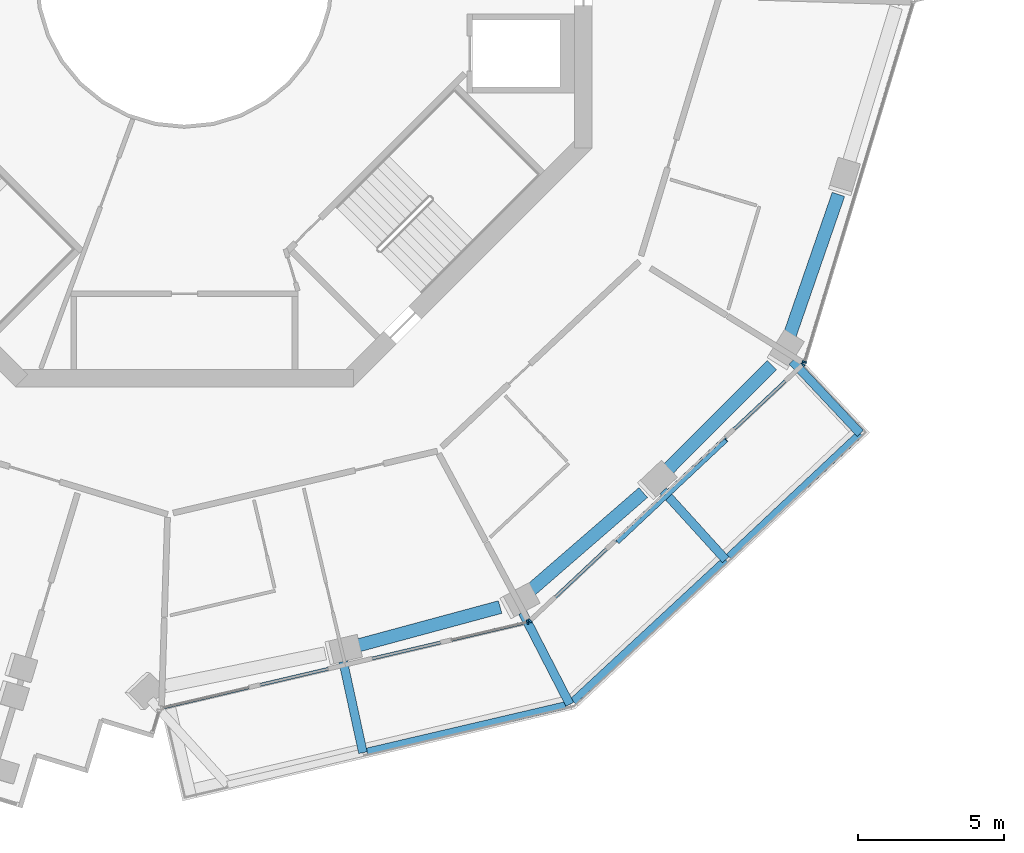
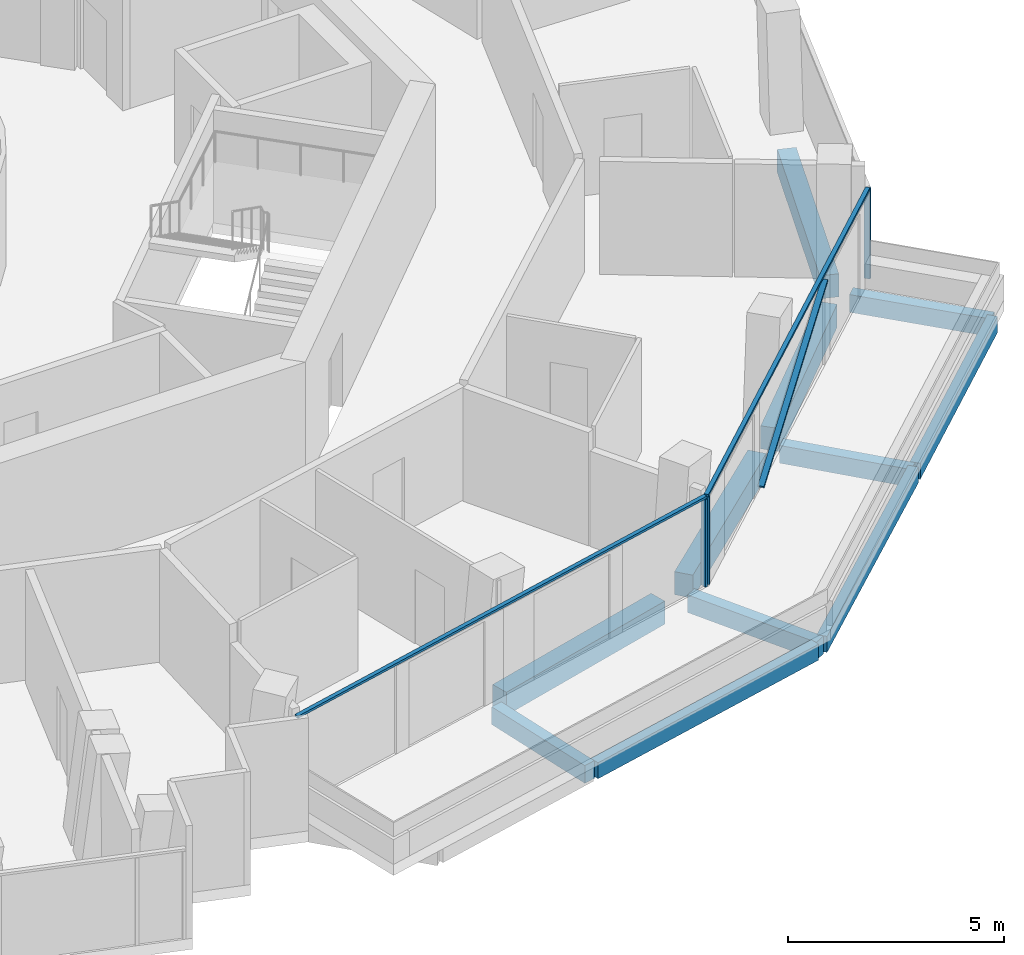
# One storey, part 5 of 24: 11 beams, 7 members, 3 elements without a shape of their own.
"""IFC4 building model written with IfcOpenShell, lengths in metres."""

from ifc_helpers import new_model, si_unit, direction, frame, origin, origin_2d, place, context, subcontext, project, spatial, rectangle, extrude, material, layer, layer_set, material_profile, profile_set, type_object, element, aggregate, save


model = new_model("IFC4")

# Units and contexts
model_context = context("Model", 3, precision=1e-05, world=origin(), true_north=direction((0.0, 1.0)))
body_context = subcontext(model_context, "Body", "Model", "MODEL_VIEW")
ifc_project = project(units=[si_unit("LENGTHUNIT", "METRE"), si_unit("AREAUNIT", "SQUARE_METRE"), si_unit("VOLUMEUNIT", "CUBIC_METRE"), si_unit("PLANEANGLEUNIT", "RADIAN"), si_unit("MASSUNIT", "GRAM", prefix="KILO")], contexts=[model_context])

# Site, building, storey
site_placement = place(None, origin())
site = spatial("IfcSite", under=ifc_project, at=site_placement, CompositionType="ELEMENT")
building_placement = place(site_placement, origin())
building = spatial("IfcBuilding", under=site, at=building_placement, Name="Verdalira Terraces Hotel", CompositionType="ELEMENT")
storey_placement = place(building_placement, frame((0.0, 0.0, 209.0)))
storey = spatial("IfcBuildingStorey", under=building, at=storey_placement, Name="L51", CompositionType="ELEMENT", Elevation=209.0)

# Beams
ifc_material_1 = material(Name="Concrete C40", Category="concrete")
ifc_material_profile_1 = material_profile(ifc_material_1, rectangle(XDim=0.300049, YDim=0.5, at=origin_2d()), Name="RC 300X500")
ifc_profile_set_1 = profile_set([ifc_material_profile_1], Name="Concrete C40")
beam_type_1 = type_object("IfcBeamType", Name="Balcony cantilever beam RC 300X500 C40", PredefinedType="BEAM", material=ifc_profile_set_1)
beam_1_placement = place(storey_placement, frame((5.452881, -23.431885, -0.560059), z_axis=(0.212033815, -0.97726233, 0.0), x_axis=(0.97726233, 0.212033815, 0.0)))
element("IfcBeam", 1, at=beam_1_placement, inside=storey, type_object=beam_type_1, Name="Balcony cantilever beam R25-2", PredefinedType="BEAM", context=body_context, shape_type="SweptSolid", body=[
    extrude(rectangle(XDim=0.300049, YDim=0.5, at=origin_2d()), origin(), (0.0, 0.0, 1.0), 3.200928),
])
beam_2_placement = place(storey_placement, frame((11.612793, -21.748291, -0.560059), z_axis=(0.457733911, -0.889089235, 0.0), x_axis=(0.889089235, 0.457733911, 0.0)))
element("IfcBeam", 2, at=beam_2_placement, inside=storey, type_object=beam_type_1, Name="Balcony cantilever beam R25-3", PredefinedType="BEAM", context=body_context, shape_type="SweptSolid", body=[
    extrude(rectangle(XDim=0.300049, YDim=0.5, at=origin_2d()), origin(), (0.0, 0.0, 1.0), 3.544678),
])
beam_3_placement = place(storey_placement, frame((16.438232, -17.566162, -0.560059), z_axis=(0.672270277, -0.740305798, 0.0), x_axis=(0.740305798, 0.672270277, 0.0)))
element("IfcBeam", 3, at=beam_3_placement, inside=storey, type_object=beam_type_1, Name="Balcony cantilever beam R25-4", PredefinedType="BEAM", context=body_context, shape_type="SweptSolid", body=[
    extrude(rectangle(XDim=0.300049, YDim=0.5, at=origin_2d()), origin(), (0.0, 0.0, 1.0), 3.200928),
])
beam_4_placement = place(storey_placement, frame((20.876953, -13.112305, -0.560059), z_axis=(0.684591289, -0.728927134, 0.0), x_axis=(0.728927134, 0.684591289, 0.0)))
element("IfcBeam", 4, at=beam_4_placement, inside=storey, type_object=beam_type_1, Name="Balcony cantilever beam R25-5", PredefinedType="BEAM", context=body_context, shape_type="SweptSolid", body=[
    extrude(rectangle(XDim=0.300049, YDim=0.5, at=origin_2d()), origin(), (0.0, 0.0, 1.0), 3.408691),
])
ifc_material_2 = material(Name="Concrete C40", Category="concrete")
ifc_material_profile_2 = material_profile(ifc_material_2, rectangle(XDim=0.25, YDim=0.449951, at=origin_2d()), Name="RC 250X450")
ifc_profile_set_2 = profile_set([ifc_material_profile_2], Name="Concrete C40")
beam_type_2 = type_object("IfcBeamType", Name="Balcony edge beam RC 250X450 C40", PredefinedType="BEAM", material=ifc_profile_set_2)
beam_5_placement = place(storey_placement, frame((6.277588, -26.525879, -0.534912), z_axis=(0.973762323, 0.227567438, 0.0), x_axis=(-0.227567438, 0.973762323, 0.0)))
element("IfcBeam", 5, at=beam_5_placement, inside=storey, type_object=beam_type_2, Name="Balcony edge beam R25-2", PredefinedType="BEAM", context=body_context, shape_type="SweptSolid", body=[
    extrude(rectangle(XDim=0.25, YDim=0.449951, at=origin_2d()), origin(), (0.0, 0.0, 1.0), 6.990479),
])
beam_6_placement = place(storey_placement, frame((13.349609, -24.793945, -0.534912), z_axis=(0.733351772, 0.679849379, 0.0), x_axis=(-0.679849379, 0.733351772, 0.0)))
element("IfcBeam", 6, at=beam_6_placement, inside=storey, type_object=beam_type_2, Name="Balcony edge beam R25-3", PredefinedType="BEAM", context=body_context, shape_type="SweptSolid", body=[
    extrude(rectangle(XDim=0.25, YDim=0.449951, at=origin_2d()), origin(), (0.0, 0.0, 1.0), 7.145996),
])
beam_7_placement = place(storey_placement, frame((18.699463, -19.833008, -0.534912), z_axis=(0.728969768, 0.684545892, 0.0), x_axis=(-0.684545892, 0.728969768, 0.0)))
element("IfcBeam", 7, at=beam_7_placement, inside=storey, type_object=beam_type_2, Name="Balcony edge beam R25-4", PredefinedType="BEAM", context=body_context, shape_type="SweptSolid", body=[
    extrude(rectangle(XDim=0.25, YDim=0.449951, at=origin_2d()), origin(), (0.0, 0.0, 1.0), 6.188232),
])

# Curtain wall, member
ifc_material_3 = material(Name="Clear glass", Category="glass")
ifc_layer = layer(ifc_material_3, 0.14990234375)
ifc_layer_set = layer_set([ifc_layer], Name="CW1 curtain wall")
curtain_wall_type = type_object("IfcCurtainWallType", Name="CW1 curtain wall", PredefinedType="NOTDEFINED", material=ifc_layer_set)
curtain_wall_1_placement = place(storey_placement, origin())
curtain_wall_1 = element("IfcCurtainWall", 8, at=curtain_wall_1_placement, inside=storey, type_object=curtain_wall_type, Name="CW1 curtain wall L51 edge 25", PredefinedType="NOTDEFINED")
ifc_material_4 = material(Name="Terracotta frame", Category="masonry")
ifc_material_profile_3 = material_profile(ifc_material_4, rectangle(XDim=0.060059, YDim=0.149902, at=origin_2d()), Name="MU 60x150")
ifc_profile_set_3 = profile_set([ifc_material_profile_3], Name="Terracotta frame")
member_type_1 = type_object("IfcMemberType", Name="CW1 mullion 60x150", PredefinedType="MULLION", material=ifc_profile_set_3)
member_1_placement = place(storey_placement, frame((11.782227, -22.076172, 0.0), z_axis=(0.0, 0.0, 1.0), x_axis=(0.973578903, 0.22835087, 0.0)))
member_1 = element("IfcMember", 9, at=member_1_placement, type_object=member_type_1, Name="CW1 mullion", PredefinedType="MULLION", context=body_context, shape_type="SweptSolid", body=[
    extrude(rectangle(XDim=0.060059, YDim=0.149902, at=origin_2d()), origin(), (0.0, 0.0, 1.0), 2.475098),
])

# Curtain wall, members
curtain_wall_2_placement = place(storey_placement, origin())
curtain_wall_2 = element("IfcCurtainWall", 10, at=curtain_wall_2_placement, inside=storey, type_object=curtain_wall_type, Name="CW1 curtain wall L51 edge 26", PredefinedType="NOTDEFINED")
member_2_placement = place(storey_placement, frame((11.867432, -22.030273, 0.0), z_axis=(0.0, 0.0, 1.0), x_axis=(0.728968627, 0.684547106, 0.0)))
member_2 = element("IfcMember", 11, at=member_2_placement, type_object=member_type_1, Name="CW1 mullion", PredefinedType="MULLION", context=body_context, shape_type="SweptSolid", body=[
    extrude(rectangle(XDim=0.060059, YDim=0.149902, at=origin_2d()), origin(), (0.0, 0.0, 1.0), 2.475098),
])
member_3_placement = place(storey_placement, frame((21.241699, -13.227295, 0.0), z_axis=(0.0, 0.0, 1.0), x_axis=(0.728968627, 0.684547106, 0.0)))
member_3 = element("IfcMember", 12, at=member_3_placement, type_object=member_type_1, Name="CW1 mullion", PredefinedType="MULLION", context=body_context, shape_type="SweptSolid", body=[
    extrude(rectangle(XDim=0.060059, YDim=0.149902, at=origin_2d()), origin(), (0.0, 0.0, 1.0), 2.475098),
])

# Curtain wall, member
curtain_wall_3_placement = place(storey_placement, origin())
curtain_wall_3 = element("IfcCurtainWall", 13, at=curtain_wall_3_placement, inside=storey, type_object=curtain_wall_type, Name="CW1 curtain wall L51 edge 27", PredefinedType="NOTDEFINED")
member_4_placement = place(storey_placement, frame((21.292725, -13.14502, 0.0), z_axis=(0.0, 0.0, 1.0), x_axis=(0.289031797, 0.957319498, 0.0)))
member_4 = element("IfcMember", 14, at=member_4_placement, type_object=member_type_1, Name="CW1 mullion", PredefinedType="MULLION", context=body_context, shape_type="SweptSolid", body=[
    extrude(rectangle(XDim=0.060059, YDim=0.149902, at=origin_2d()), origin(), (0.0, 0.0, 1.0), 2.475098),
])
aggregate(curtain_wall_3, [member_4])

# Member
ifc_material_5 = material(Name="Terracotta frame", Category="masonry")
ifc_material_profile_4 = material_profile(ifc_material_5, rectangle(XDim=0.110107, YDim=0.064941, at=origin_2d()), Name="TR 65x110")
ifc_profile_set_4 = profile_set([ifc_material_profile_4], Name="Terracotta frame")
member_type_2 = type_object("IfcMemberType", Name="CW1 transom 65x110", PredefinedType="USERDEFINED", material=ifc_profile_set_4)
member_5_placement = place(storey_placement, frame((-0.805908, -25.028564, 2.507568), z_axis=(0.973581705, 0.228338922, 0.0), x_axis=(-0.228338922, 0.973581705, 0.0)))
member_5 = element("IfcMember", 15, at=member_5_placement, type_object=member_type_2, Name="CW1 transom", ObjectType="TRANSOM", PredefinedType="USERDEFINED", context=body_context, shape_type="SweptSolid", body=[
    extrude(rectangle(XDim=0.110107, YDim=0.064941, at=origin_2d()), origin(), (0.0, 0.0, 1.0), 12.959717),
])

aggregate(curtain_wall_1, [member_1, member_5])

member_6_placement = place(storey_placement, frame((11.845703, -22.051025, 2.507568), z_axis=(0.728961793, 0.684554384, 0.0), x_axis=(-0.684554384, 0.728961793, 0.0)))
member_6 = element("IfcMember", 16, at=member_6_placement, type_object=member_type_2, Name="CW1 transom", ObjectType="TRANSOM", PredefinedType="USERDEFINED", context=body_context, shape_type="SweptSolid", body=[
    extrude(rectangle(XDim=0.110107, YDim=0.064941, at=origin_2d()), origin(), (0.0, 0.0, 1.0), 12.919678),
])

ifc_material_6 = material(Name="Terracotta frame", Category="masonry")
ifc_material_profile_5 = material_profile(ifc_material_6, rectangle(XDim=0.149902, YDim=0.060059, at=origin_2d()), Name="GB 60x150")
ifc_profile_set_5 = profile_set([ifc_material_profile_5], Name="Terracotta frame")
member_type_3 = type_object("IfcMemberType", Name="Diagonal glazing bar 60x150", PredefinedType="USERDEFINED", material=ifc_profile_set_5)
member_7_placement = place(storey_placement, frame((14.885254, -19.318604, 0.028076), z_axis=(0.658774846, 0.618630417, 0.428149634), x_axis=(-0.684546905, 0.728968816, 0.0)))
member_7 = element("IfcMember", 17, at=member_7_placement, type_object=member_type_3, Name="Diagonal glazing bar", ObjectType="GLAZING BAR", PredefinedType="USERDEFINED", context=body_context, shape_type="SweptSolid", body=[
    extrude(rectangle(XDim=0.149902, YDim=0.060059, at=origin_2d()), origin(), (0.0, 0.0, 1.0), 5.649658),
])

aggregate(curtain_wall_2, [member_2, member_3, member_6, member_7])

# Beams
ifc_material_7 = material(Name="Concrete C50", Category="concrete")
ifc_material_profile_6 = material_profile(ifc_material_7, rectangle(XDim=0.449951, YDim=0.649902, at=origin_2d()), Name="RC 450X650")
ifc_profile_set_6 = profile_set([ifc_material_profile_6], Name="Concrete C50")
beam_type_3 = type_object("IfcBeamType", Name="Spandrel beam RC 450X650 C50", PredefinedType="SPANDREL", material=ifc_profile_set_6)
beam_8_placement = place(storey_placement, frame((5.83374, -22.913574, -0.63501), z_axis=(0.965362753, 0.260911395, 0.0), x_axis=(-0.260911395, 0.965362753, 0.0)))
element("IfcBeam", 18, at=beam_8_placement, inside=storey, type_object=beam_type_3, Name="Spandrel beam B12", PredefinedType="SPANDREL", context=body_context, shape_type="SweptSolid", body=[
    extrude(rectangle(XDim=0.449951, YDim=0.649902, at=origin_2d()), origin(), (0.0, 0.0, 1.0), 5.189453),
])
beam_9_placement = place(storey_placement, frame((11.834961, -21.029785, -0.63501), z_axis=(0.755540122, 0.655102376, 0.0), x_axis=(-0.655102376, 0.755540122, 0.0)))
element("IfcBeam", 19, at=beam_9_placement, inside=storey, type_object=beam_type_3, Name="Spandrel beam B13", PredefinedType="SPANDREL", context=body_context, shape_type="SweptSolid", body=[
    extrude(rectangle(XDim=0.449951, YDim=0.649902, at=origin_2d()), origin(), (0.0, 0.0, 1.0), 5.192139),
])
beam_10_placement = place(storey_placement, frame((16.508789, -16.926758, -0.63501), z_axis=(0.705599698, 0.708610659, 0.0), x_axis=(-0.708610659, 0.705599698, 0.0)))
element("IfcBeam", 20, at=beam_10_placement, inside=storey, type_object=beam_type_3, Name="Spandrel beam B14", PredefinedType="SPANDREL", context=body_context, shape_type="SweptSolid", body=[
    extrude(rectangle(XDim=0.449951, YDim=0.649902, at=origin_2d()), origin(), (0.0, 0.0, 1.0), 5.189453),
])
beam_11_placement = place(storey_placement, frame((20.764404, -12.294922, -0.63501), z_axis=(0.326745556, 0.945112343, 0.0), x_axis=(-0.945112343, 0.326745556, 0.0)))
element("IfcBeam", 21, at=beam_11_placement, inside=storey, type_object=beam_type_3, Name="Spandrel beam B15", PredefinedType="SPANDREL", context=body_context, shape_type="SweptSolid", body=[
    extrude(rectangle(XDim=0.449951, YDim=0.649902, at=origin_2d()), origin(), (0.0, 0.0, 1.0), 5.192139),
])

save(model, "model.ifc")
